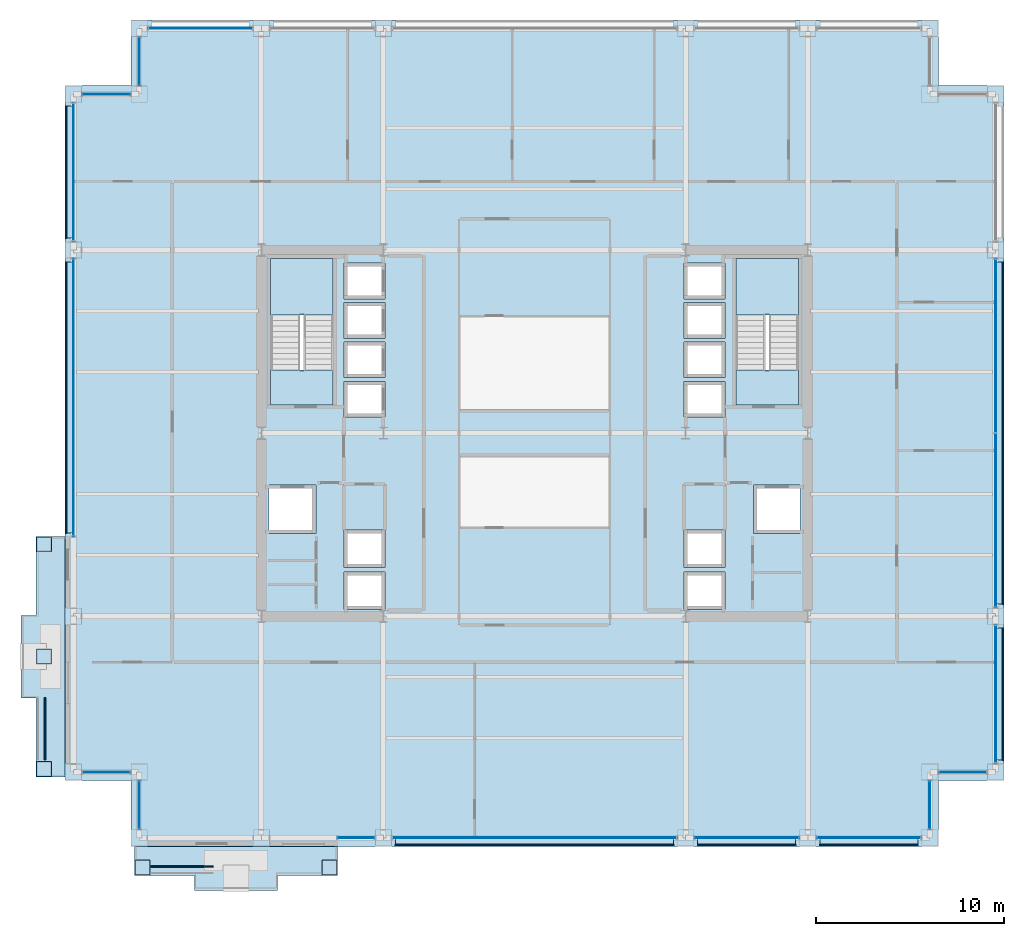
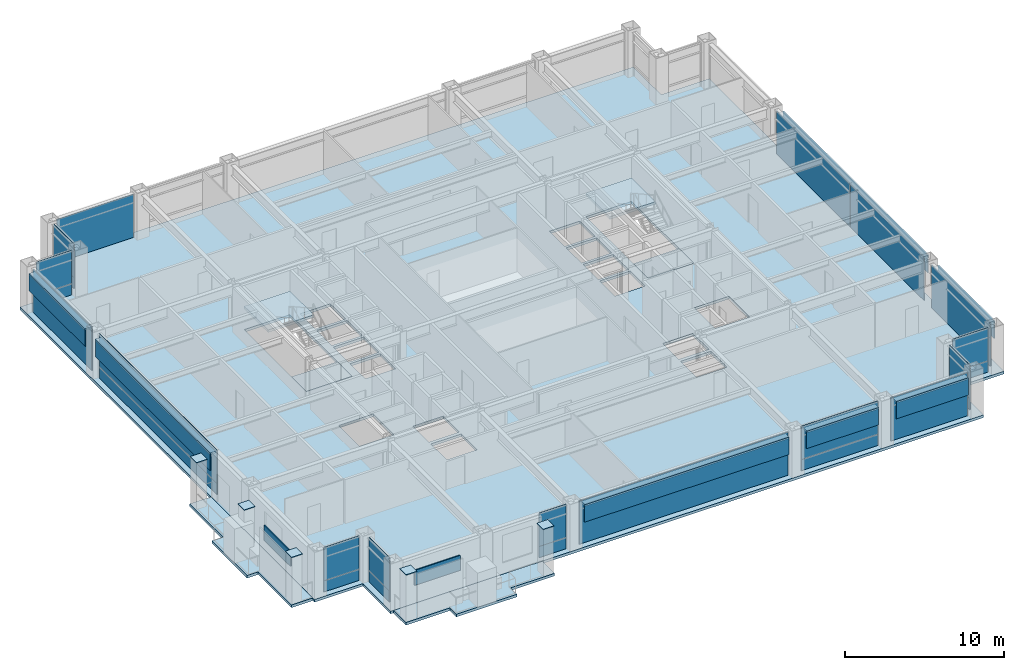
# One storey, part 21 of 28: 46 plates, 7 slabs, 17 elements without a shape of their own.
"""IFC4 building model written with IfcOpenShell, lengths in metres."""

from ifc_helpers import new_model, si_unit, direction, frame, origin, origin_2d, place, context, subcontext, project, spatial, polyline, rectangle, outline, extrude, material, layer, layer_set, type_object, element, aggregate, save


model = new_model("IFC4")

# Units and contexts
model_context = context("Model", 3, precision=1e-05, world=origin(), true_north=direction((0.0, 1.0)))
body_context = subcontext(model_context, "Body", "Model", "MODEL_VIEW")
ifc_project = project(units=[si_unit("LENGTHUNIT", "METRE"), si_unit("AREAUNIT", "SQUARE_METRE"), si_unit("VOLUMEUNIT", "CUBIC_METRE"), si_unit("PLANEANGLEUNIT", "RADIAN"), si_unit("MASSUNIT", "GRAM", prefix="KILO")], contexts=[model_context])

# Site, building, storey
site_placement = place(None, origin())
site = spatial("IfcSite", under=ifc_project, at=site_placement, CompositionType="ELEMENT")
building_placement = place(site_placement, origin())
building = spatial("IfcBuilding", under=site, at=building_placement, Name="Brelmoor Portico Tower", CompositionType="ELEMENT")
storey_placement = place(building_placement, frame((0.0, 0.0, 70.800048828125)))
storey = spatial("IfcBuildingStorey", under=building, at=storey_placement, Name="L18", CompositionType="ELEMENT", Elevation=70.800048828125)

# Plates
ifc_material_1 = material(Name="Steel Q355B", Category="steel")
ifc_layer_1 = layer(ifc_material_1, 0.044921875)
ifc_layer_set_1 = layer_set([ifc_layer_1], Name="Steel Q355B")
plate_type_1 = type_object("IfcPlateType", Name="PT-CAP-650", PredefinedType="SHEET", material=ifc_layer_set_1)
for number, where, z_axis, x_axis, name in (
    (1, (-26.1298828125, -17.8798828125, 3.599853515625), (0.0, 0.0, 1.0), (0.0, 1.0, 0.0), "L18 Proud Picture-Frame Pier PFJ-W1 Welded Head Cap Plate"),
    (2, (-26.1298828125, -5.919921875, 3.599853515625), (0.0, 0.0, 1.0), (0.0, 1.0, 0.0), "L18 Proud Picture-Frame Pier PFJ-W2 Welded Head Cap Plate"),
    (3, (-26.1298828125, -11.89990234375, 3.599853515625), (0.0, 0.0, 1.0), (0.0, 1.0, 0.0), "L18 Proud Picture-Frame Pier PFJ-W3 Welded Head Cap Plate"),
    (4, (-20.8798828125, -23.1298828125, 3.599853515625), (0.0, 0.0, 1.0), (1.0, 0.0, 0.0), "L18 Proud Picture-Frame Pier PFJ-S1 Welded Head Cap Plate"),
    (5, (-10.919921875, -23.1298828125, 3.599853515625), (0.0, 0.0, 1.0), (1.0, 0.0, 0.0), "L18 Proud Picture-Frame Pier PFJ-S2 Welded Head Cap Plate"),
):
    element("IfcPlate", number, at=place(storey_placement, frame(where, z_axis=z_axis, x_axis=x_axis)), inside=storey, type_object=plate_type_1, Name=name, PredefinedType="SHEET", context=body_context, shape_type="SweptSolid", body=[
        extrude(rectangle(XDim=0.7900390625, YDim=0.7900390625, at=origin_2d()), origin(), (0.0, 0.0, 1.0), 0.0400390625),
    ])

# Curtain wall, plate
ifc_material_2 = material(Name="Anodised Aluminium Alloy 6063-T6", Category="aluminium")
ifc_layer_2 = layer(ifc_material_2, 0.179931640625)
ifc_layer_set_2 = layer_set([ifc_layer_2], Name="Anodised Aluminium Alloy 6063-T6")
curtain_wall_type_1 = type_object("IfcCurtainWallType", Name="CW-TOWER-Z1", PredefinedType="NOTDEFINED", material=ifc_layer_set_2)
curtain_wall_1_placement = place(storey_placement, origin())
curtain_wall_1 = element("IfcCurtainWall", 6, at=curtain_wall_1_placement, inside=storey, type_object=curtain_wall_type_1, Name="L18 Curtain Wall CW-L18-1R-1", PredefinedType="NOTDEFINED")
ifc_material_3 = material(Name="Double-Silver Low-E Insulated Glazing", Category="glass")
ifc_layer_3 = layer(ifc_material_3, 0.035888671875)
ifc_layer_set_3 = layer_set([ifc_layer_3], Name="Double-Silver Low-E Insulated Glazing")
plate_type_2 = type_object("IfcPlateType", Name="PT-CW-GLASS", PredefinedType="CURTAIN_PANEL", material=ifc_layer_set_3)
plate_1_placement = place(storey_placement, frame((-9.5048828125, -21.550048828125, 0.85009765625), z_axis=(0.0, 0.0, 1.0), x_axis=(1.0, 0.0, 0.0)))
plate_1 = element("IfcPlate", 7, at=plate_1_placement, type_object=plate_type_2, Name="CW-L18-1R-1 Vision Glass Panel 00", PredefinedType="CURTAIN_PANEL", context=body_context, shape_type="SweptSolid", body=[
    extrude(rectangle(XDim=1.9599609375, YDim=0.035888671875, at=origin_2d()), origin(), (0.0, 0.0, 1.0), 2.550048828125),
])

curtain_wall_2_placement = place(storey_placement, origin())
curtain_wall_2 = element("IfcCurtainWall", 8, at=curtain_wall_2_placement, inside=storey, type_object=curtain_wall_type_1, Name="L18 Curtain Wall CW-L18-1R-3", PredefinedType="NOTDEFINED")
plate_2_placement = place(storey_placement, frame((11.300048828125, -21.550048828125, 0.85009765625), z_axis=(0.0, 0.0, 1.0), x_axis=(1.0, 0.0, 0.0)))
plate_2 = element("IfcPlate", 9, at=plate_2_placement, type_object=plate_type_2, Name="CW-L18-1R-3 Vision Glass Panel 00", PredefinedType="CURTAIN_PANEL", context=body_context, shape_type="SweptSolid", body=[
    extrude(rectangle(XDim=5.550048828125, YDim=0.035888671875, at=origin_2d()), origin(), (0.0, 0.0, 1.0), 2.550048828125),
])

curtain_wall_3_placement = place(storey_placement, origin())
curtain_wall_3 = element("IfcCurtainWall", 10, at=curtain_wall_3_placement, inside=storey, type_object=curtain_wall_type_1, Name="L18 Curtain Wall CW-L18-3R-1", PredefinedType="NOTDEFINED")
plate_3_placement = place(storey_placement, frame((-24.550048828125, 1.89501953125, 0.85009765625), z_axis=(0.0, 0.0, 1.0), x_axis=(0.0, 1.0, 0.0)))
plate_3 = element("IfcPlate", 11, at=plate_3_placement, type_object=plate_type_2, Name="CW-L18-3R-1 Vision Glass Panel 00", PredefinedType="CURTAIN_PANEL", context=body_context, shape_type="SweptSolid", body=[
    extrude(rectangle(XDim=14.760009765625, YDim=0.035888671875, at=origin_2d()), origin(), (0.0, 0.0, 1.0), 2.550048828125),
])

ifc_layer_4 = layer(ifc_material_2, 0.179931640625)
ifc_layer_set_4 = layer_set([ifc_layer_4], Name="Anodised Aluminium Alloy 6063-T6")
curtain_wall_type_2 = type_object("IfcCurtainWallType", Name="CW-NOTCH-CHAMFER", PredefinedType="NOTDEFINED", material=ifc_layer_set_4)
curtain_wall_4_placement = place(storey_placement, origin())
curtain_wall_4 = element("IfcCurtainWall", 12, at=curtain_wall_4_placement, inside=storey, type_object=curtain_wall_type_2, Name="L18 Curtain Wall CWN-L18-SWH", PredefinedType="NOTDEFINED")
plate_4_placement = place(storey_placement, frame((-22.800048828125, -18.050048828125, 0.85009765625), z_axis=(0.0, 0.0, 1.0), x_axis=(1.0, 0.0, 0.0)))
plate_4 = element("IfcPlate", 13, at=plate_4_placement, type_object=plate_type_2, Name="CWN-L18-SWH Vision Glass Panel 00", PredefinedType="CURTAIN_PANEL", context=body_context, shape_type="SweptSolid", body=[
    extrude(rectangle(XDim=2.550048828125, YDim=0.035888671875, at=origin_2d()), origin(), (0.0, 0.0, 1.0), 2.550048828125),
])

curtain_wall_5_placement = place(storey_placement, origin())
curtain_wall_5 = element("IfcCurtainWall", 14, at=curtain_wall_5_placement, inside=storey, type_object=curtain_wall_type_2, Name="L18 Curtain Wall CWN-L18-SWV", PredefinedType="NOTDEFINED")
plate_5_placement = place(storey_placement, frame((-21.050048828125, -19.800048828125, 0.85009765625), z_axis=(0.0, 0.0, 1.0), x_axis=(0.0, 1.0, 0.0)))
plate_5 = element("IfcPlate", 15, at=plate_5_placement, type_object=plate_type_2, Name="CWN-L18-SWV Vision Glass Panel 00", PredefinedType="CURTAIN_PANEL", context=body_context, shape_type="SweptSolid", body=[
    extrude(rectangle(XDim=2.550048828125, YDim=0.035888671875, at=origin_2d()), origin(), (0.0, 0.0, 1.0), 2.550048828125),
])

curtain_wall_6_placement = place(storey_placement, origin())
curtain_wall_6 = element("IfcCurtainWall", 16, at=curtain_wall_6_placement, inside=storey, type_object=curtain_wall_type_2, Name="L18 Curtain Wall CWN-L18-SEH", PredefinedType="NOTDEFINED")
plate_6_placement = place(storey_placement, frame((22.800048828125, -18.050048828125, 0.85009765625), z_axis=(0.0, 0.0, 1.0), x_axis=(1.0, 0.0, 0.0)))
plate_6 = element("IfcPlate", 17, at=plate_6_placement, type_object=plate_type_2, Name="CWN-L18-SEH Vision Glass Panel 00", PredefinedType="CURTAIN_PANEL", context=body_context, shape_type="SweptSolid", body=[
    extrude(rectangle(XDim=2.550048828125, YDim=0.035888671875, at=origin_2d()), origin(), (0.0, 0.0, 1.0), 2.550048828125),
])

curtain_wall_7_placement = place(storey_placement, origin())
curtain_wall_7 = element("IfcCurtainWall", 18, at=curtain_wall_7_placement, inside=storey, type_object=curtain_wall_type_2, Name="L18 Curtain Wall CWN-L18-SEV", PredefinedType="NOTDEFINED")
plate_7_placement = place(storey_placement, frame((21.050048828125, -19.800048828125, 0.85009765625), z_axis=(0.0, 0.0, 1.0), x_axis=(0.0, 1.0, 0.0)))
plate_7 = element("IfcPlate", 19, at=plate_7_placement, type_object=plate_type_2, Name="CWN-L18-SEV Vision Glass Panel 00", PredefinedType="CURTAIN_PANEL", context=body_context, shape_type="SweptSolid", body=[
    extrude(rectangle(XDim=2.550048828125, YDim=0.035888671875, at=origin_2d()), origin(), (0.0, 0.0, 1.0), 2.550048828125),
])

curtain_wall_8_placement = place(storey_placement, origin())
curtain_wall_8 = element("IfcCurtainWall", 20, at=curtain_wall_8_placement, inside=storey, type_object=curtain_wall_type_2, Name="L18 Curtain Wall CWN-L18-NWH", PredefinedType="NOTDEFINED")
plate_8_placement = place(storey_placement, frame((-22.800048828125, 18.050048828125, 0.85009765625), z_axis=(0.0, 0.0, 1.0), x_axis=(1.0, 0.0, 0.0)))
plate_8 = element("IfcPlate", 21, at=plate_8_placement, type_object=plate_type_2, Name="CWN-L18-NWH Vision Glass Panel 00", PredefinedType="CURTAIN_PANEL", context=body_context, shape_type="SweptSolid", body=[
    extrude(rectangle(XDim=2.550048828125, YDim=0.035888671875, at=origin_2d()), origin(), (0.0, 0.0, 1.0), 2.550048828125),
])

curtain_wall_9_placement = place(storey_placement, origin())
curtain_wall_9 = element("IfcCurtainWall", 22, at=curtain_wall_9_placement, inside=storey, type_object=curtain_wall_type_2, Name="L18 Curtain Wall CWN-L18-NWV", PredefinedType="NOTDEFINED")
plate_9_placement = place(storey_placement, frame((-21.050048828125, 19.800048828125, 0.85009765625), z_axis=(0.0, 0.0, 1.0), x_axis=(0.0, 1.0, 0.0)))
plate_9 = element("IfcPlate", 23, at=plate_9_placement, type_object=plate_type_2, Name="CWN-L18-NWV Vision Glass Panel 00", PredefinedType="CURTAIN_PANEL", context=body_context, shape_type="SweptSolid", body=[
    extrude(rectangle(XDim=2.550048828125, YDim=0.035888671875, at=origin_2d()), origin(), (0.0, 0.0, 1.0), 2.550048828125),
])

# Plate
ifc_material_4 = material(Name="Pale Champagne Anodised Aluminium Panel", Category="aluminium")
ifc_layer_5 = layer(ifc_material_4, 0.050048828125)
ifc_layer_set_5 = layer_set([ifc_layer_5], Name="Pale Champagne Anodised Aluminium Panel")
plate_type_3 = type_object("IfcPlateType", Name="PT-CW-SPANDREL", PredefinedType="SHEET", material=ifc_layer_set_5)
plate_10_placement = place(storey_placement, frame((-9.5048828125, -21.550048828125, 0.0), z_axis=(0.0, 0.0, 1.0), x_axis=(1.0, 0.0, 0.0)))
plate_10 = element("IfcPlate", 24, at=plate_10_placement, type_object=plate_type_3, Name="CW-L18-1R-1 Spandrel Panel 00", PredefinedType="SHEET", context=body_context, shape_type="SweptSolid", body=[
    extrude(rectangle(XDim=1.9599609375, YDim=0.050048828125, at=origin_2d()), origin(), (0.0, 0.0, 1.0), 0.85009765625),
])

aggregate(curtain_wall_1, [plate_10, plate_1])

# Curtain wall, plate
ifc_layer_6 = layer(ifc_material_2, 0.179931640625)
ifc_layer_set_6 = layer_set([ifc_layer_6], Name="Anodised Aluminium Alloy 6063-T6")
curtain_wall_type_3 = type_object("IfcCurtainWallType", Name="CW-TOWER-Z1-XB", PredefinedType="NOTDEFINED", material=ifc_layer_set_6)
curtain_wall_10_placement = place(storey_placement, origin())
curtain_wall_10 = element("IfcCurtainWall", 25, at=curtain_wall_10_placement, inside=storey, type_object=curtain_wall_type_3, Name="L18 Curtain Wall CW-L18-1R-2", PredefinedType="NOTDEFINED")
plate_11_placement = place(storey_placement, frame((0.0, -21.550048828125, 0.0), z_axis=(0.0, 0.0, 1.0), x_axis=(1.0, 0.0, 0.0)))
plate_11 = element("IfcPlate", 26, at=plate_11_placement, type_object=plate_type_3, Name="CW-L18-1R-2 Spandrel Panel 00", PredefinedType="SHEET", context=body_context, shape_type="SweptSolid", body=[
    extrude(rectangle(XDim=15.14990234375, YDim=0.050048828125, at=origin_2d()), origin(), (0.0, 0.0, 1.0), 3.330078125),
])
aggregate(curtain_wall_10, [plate_11])

# Plate
plate_12_placement = place(storey_placement, frame((11.300048828125, -21.550048828125, 0.0), z_axis=(0.0, 0.0, 1.0), x_axis=(1.0, 0.0, 0.0)))
plate_12 = element("IfcPlate", 27, at=plate_12_placement, type_object=plate_type_3, Name="CW-L18-1R-3 Spandrel Panel 00", PredefinedType="SHEET", context=body_context, shape_type="SweptSolid", body=[
    extrude(rectangle(XDim=5.550048828125, YDim=0.050048828125, at=origin_2d()), origin(), (0.0, 0.0, 1.0), 0.85009765625),
])

aggregate(curtain_wall_2, [plate_12, plate_2])

# Curtain wall, plate
curtain_wall_11_placement = place(storey_placement, origin())
curtain_wall_11 = element("IfcCurtainWall", 28, at=curtain_wall_11_placement, inside=storey, type_object=curtain_wall_type_3, Name="L18 Curtain Wall CW-L18-1R-4", PredefinedType="NOTDEFINED")
plate_13_placement = place(storey_placement, frame((17.800048828125, -21.550048828125, 0.0), z_axis=(0.0, 0.0, 1.0), x_axis=(1.0, 0.0, 0.0)))
plate_13 = element("IfcPlate", 29, at=plate_13_placement, type_object=plate_type_3, Name="CW-L18-1R-4 Spandrel Panel 00", PredefinedType="SHEET", context=body_context, shape_type="SweptSolid", body=[
    extrude(rectangle(XDim=5.550048828125, YDim=0.050048828125, at=origin_2d()), origin(), (0.0, 0.0, 1.0), 3.330078125),
])
aggregate(curtain_wall_11, [plate_13])

curtain_wall_12_placement = place(storey_placement, origin())
curtain_wall_12 = element("IfcCurtainWall", 30, at=curtain_wall_12_placement, inside=storey, type_object=curtain_wall_type_3, Name="L18 Curtain Wall CW-L18-02-1", PredefinedType="NOTDEFINED")
plate_14_placement = place(storey_placement, frame((-17.800048828125, 21.550048828125, 0.0), z_axis=(0.0, 0.0, 1.0), x_axis=(1.0, 0.0, 0.0)))
plate_14 = element("IfcPlate", 31, at=plate_14_placement, type_object=plate_type_3, Name="CW-L18-02-1 Spandrel Panel 00", PredefinedType="SHEET", context=body_context, shape_type="SweptSolid", body=[
    extrude(rectangle(XDim=5.550048828125, YDim=0.050048828125, at=origin_2d()), origin(), (0.0, 0.0, 1.0), 3.330078125),
])
aggregate(curtain_wall_12, [plate_14])

# Plate
plate_15_placement = place(storey_placement, frame((-24.550048828125, 1.89501953125, 0.0), z_axis=(0.0, 0.0, 1.0), x_axis=(0.0, 1.0, 0.0)))
plate_15 = element("IfcPlate", 32, at=plate_15_placement, type_object=plate_type_3, Name="CW-L18-3R-1 Spandrel Panel 00", PredefinedType="SHEET", context=body_context, shape_type="SweptSolid", body=[
    extrude(rectangle(XDim=14.760009765625, YDim=0.050048828125, at=origin_2d()), origin(), (0.0, 0.0, 1.0), 0.85009765625),
])

aggregate(curtain_wall_3, [plate_15, plate_3])

# Curtain wall, plate
curtain_wall_13_placement = place(storey_placement, origin())
curtain_wall_13 = element("IfcCurtainWall", 33, at=curtain_wall_13_placement, inside=storey, type_object=curtain_wall_type_3, Name="L18 Curtain Wall CW-L18-3R-2", PredefinedType="NOTDEFINED")
plate_16_placement = place(storey_placement, frame((-24.550048828125, 13.89990234375, 0.0), z_axis=(0.0, 0.0, 1.0), x_axis=(0.0, 1.0, 0.0)))
plate_16 = element("IfcPlate", 34, at=plate_16_placement, type_object=plate_type_3, Name="CW-L18-3R-2 Spandrel Panel 00", PredefinedType="SHEET", context=body_context, shape_type="SweptSolid", body=[
    extrude(rectangle(XDim=7.35009765625, YDim=0.050048828125, at=origin_2d()), origin(), (0.0, 0.0, 1.0), 3.330078125),
])
aggregate(curtain_wall_13, [plate_16])

curtain_wall_14_placement = place(storey_placement, origin())
curtain_wall_14 = element("IfcCurtainWall", 35, at=curtain_wall_14_placement, inside=storey, type_object=curtain_wall_type_3, Name="L18 Curtain Wall CW-L18-04-1", PredefinedType="NOTDEFINED")
plate_17_placement = place(storey_placement, frame((24.550048828125, -13.89990234375, 0.0), z_axis=(0.0, 0.0, 1.0), x_axis=(0.0, 1.0, 0.0)))
plate_17 = element("IfcPlate", 36, at=plate_17_placement, type_object=plate_type_3, Name="CW-L18-04-1 Spandrel Panel 00", PredefinedType="SHEET", context=body_context, shape_type="SweptSolid", body=[
    extrude(rectangle(XDim=7.35009765625, YDim=0.050048828125, at=origin_2d()), origin(), (0.0, 0.0, 1.0), 3.330078125),
])
aggregate(curtain_wall_14, [plate_17])

# Curtain wall, plates
curtain_wall_15_placement = place(storey_placement, origin())
curtain_wall_15 = element("IfcCurtainWall", 37, at=curtain_wall_15_placement, inside=storey, type_object=curtain_wall_type_3, Name="L18 Curtain Wall CW-L18-04-2", PredefinedType="NOTDEFINED")
plate_18_placement = place(storey_placement, frame((24.550048828125, -4.64501953125, 0.0), z_axis=(0.0, 0.0, 1.0), x_axis=(0.0, 1.0, 0.0)))
plate_18 = element("IfcPlate", 38, at=plate_18_placement, type_object=plate_type_3, Name="CW-L18-04-2 Spandrel Panel 00", PredefinedType="SHEET", context=body_context, shape_type="SweptSolid", body=[
    extrude(rectangle(XDim=9.260009765625, YDim=0.050048828125, at=origin_2d()), origin(), (0.0, 0.0, 1.0), 3.330078125),
])
plate_19_placement = place(storey_placement, frame((24.550048828125, 4.64501953125, 0.0), z_axis=(0.0, 0.0, 1.0), x_axis=(0.0, 1.0, 0.0)))
plate_19 = element("IfcPlate", 39, at=plate_19_placement, type_object=plate_type_3, Name="CW-L18-04-2 Spandrel Panel 01", PredefinedType="SHEET", context=body_context, shape_type="SweptSolid", body=[
    extrude(rectangle(XDim=9.260009765625, YDim=0.050048828125, at=origin_2d()), origin(), (0.0, 0.0, 1.0), 3.330078125),
])
aggregate(curtain_wall_15, [plate_18, plate_19])

# Plate
plate_20_placement = place(storey_placement, frame((-22.800048828125, -18.050048828125, 0.0), z_axis=(0.0, 0.0, 1.0), x_axis=(1.0, 0.0, 0.0)))
plate_20 = element("IfcPlate", 40, at=plate_20_placement, type_object=plate_type_3, Name="CWN-L18-SWH Spandrel Panel 00", PredefinedType="SHEET", context=body_context, shape_type="SweptSolid", body=[
    extrude(rectangle(XDim=2.550048828125, YDim=0.050048828125, at=origin_2d()), origin(), (0.0, 0.0, 1.0), 0.85009765625),
])

aggregate(curtain_wall_4, [plate_20, plate_4])

plate_21_placement = place(storey_placement, frame((-21.050048828125, -19.800048828125, 0.0), z_axis=(0.0, 0.0, 1.0), x_axis=(0.0, 1.0, 0.0)))
plate_21 = element("IfcPlate", 41, at=plate_21_placement, type_object=plate_type_3, Name="CWN-L18-SWV Spandrel Panel 00", PredefinedType="SHEET", context=body_context, shape_type="SweptSolid", body=[
    extrude(rectangle(XDim=2.550048828125, YDim=0.050048828125, at=origin_2d()), origin(), (0.0, 0.0, 1.0), 0.85009765625),
])

aggregate(curtain_wall_5, [plate_21, plate_5])

plate_22_placement = place(storey_placement, frame((22.800048828125, -18.050048828125, 0.0), z_axis=(0.0, 0.0, 1.0), x_axis=(1.0, 0.0, 0.0)))
plate_22 = element("IfcPlate", 42, at=plate_22_placement, type_object=plate_type_3, Name="CWN-L18-SEH Spandrel Panel 00", PredefinedType="SHEET", context=body_context, shape_type="SweptSolid", body=[
    extrude(rectangle(XDim=2.550048828125, YDim=0.050048828125, at=origin_2d()), origin(), (0.0, 0.0, 1.0), 0.85009765625),
])

aggregate(curtain_wall_6, [plate_22, plate_6])

plate_23_placement = place(storey_placement, frame((21.050048828125, -19.800048828125, 0.0), z_axis=(0.0, 0.0, 1.0), x_axis=(0.0, 1.0, 0.0)))
plate_23 = element("IfcPlate", 43, at=plate_23_placement, type_object=plate_type_3, Name="CWN-L18-SEV Spandrel Panel 00", PredefinedType="SHEET", context=body_context, shape_type="SweptSolid", body=[
    extrude(rectangle(XDim=2.550048828125, YDim=0.050048828125, at=origin_2d()), origin(), (0.0, 0.0, 1.0), 0.85009765625),
])

aggregate(curtain_wall_7, [plate_23, plate_7])

plate_24_placement = place(storey_placement, frame((-22.800048828125, 18.050048828125, 0.0), z_axis=(0.0, 0.0, 1.0), x_axis=(1.0, 0.0, 0.0)))
plate_24 = element("IfcPlate", 44, at=plate_24_placement, type_object=plate_type_3, Name="CWN-L18-NWH Spandrel Panel 00", PredefinedType="SHEET", context=body_context, shape_type="SweptSolid", body=[
    extrude(rectangle(XDim=2.550048828125, YDim=0.050048828125, at=origin_2d()), origin(), (0.0, 0.0, 1.0), 0.85009765625),
])

aggregate(curtain_wall_8, [plate_24, plate_8])

plate_25_placement = place(storey_placement, frame((-21.050048828125, 19.800048828125, 0.0), z_axis=(0.0, 0.0, 1.0), x_axis=(0.0, 1.0, 0.0)))
plate_25 = element("IfcPlate", 45, at=plate_25_placement, type_object=plate_type_3, Name="CWN-L18-NWV Spandrel Panel 00", PredefinedType="SHEET", context=body_context, shape_type="SweptSolid", body=[
    extrude(rectangle(XDim=2.550048828125, YDim=0.050048828125, at=origin_2d()), origin(), (0.0, 0.0, 1.0), 0.85009765625),
])

aggregate(curtain_wall_9, [plate_25, plate_9])

# Plates
ifc_material_5 = material(Name="Powder-Coated Aluminium Shuttered Jalousie Louvre", Category="aluminium")
ifc_layer_7 = layer(ifc_material_5, 0.06005859375)
ifc_layer_set_7 = layer_set([ifc_layer_7], Name="Powder-Coated Aluminium Shuttered Jalousie Louvre")
plate_type_4 = type_object("IfcPlateType", Name="PT-JALOUSIE-SHUTTER", PredefinedType="SHEET", material=ifc_layer_set_7)
plate_26_placement = place(storey_placement, frame((0.0, -21.929931640625, 1.8740234375), z_axis=(0.0, 0.0, 1.0), x_axis=(1.0, 0.0, 0.0)))
element("IfcPlate", 46, at=plate_26_placement, inside=storey, type_object=plate_type_4, Name="CW-L18-1R-2 Perforated Jalousie Solar Screen", PredefinedType="SHEET", context=body_context, shape_type="SweptSolid", body=[
    extrude(rectangle(XDim=14.820068359375, YDim=0.06494140625, at=origin_2d()), origin(), (0.0, 0.0, 1.0), 1.325927734375),
])
for number, where, z_axis, x_axis, name in (
    (47, (11.300048828125, -21.929931640625, 1.8740234375), (0.0, 0.0, 1.0), (1.0, 0.0, 0.0), "CW-L18-1R-3 Perforated Jalousie Solar Screen"),
    (48, (17.800048828125, -21.929931640625, 1.8740234375), (0.0, 0.0, 1.0), (1.0, 0.0, 0.0), "CW-L18-1R-4 Perforated Jalousie Solar Screen"),
):
    element("IfcPlate", number, at=place(storey_placement, frame(where, z_axis=z_axis, x_axis=x_axis)), inside=storey, type_object=plate_type_4, Name=name, PredefinedType="SHEET", context=body_context, shape_type="SweptSolid", body=[
        extrude(rectangle(XDim=5.219970703125, YDim=0.06494140625, at=origin_2d()), origin(), (0.0, 0.0, 1.0), 1.325927734375),
    ])
plate_27_placement = place(storey_placement, frame((-18.75, -23.080078125, 2.27490234375), z_axis=(0.0, 0.0, 1.0), x_axis=(1.0, 0.0, 0.0)))
element("IfcPlate", 49, at=plate_27_placement, inside=storey, type_object=plate_type_4, Name="L18 Shuttered Veranda Screen S", PredefinedType="SHEET", context=body_context, shape_type="SweptSolid", body=[
    extrude(rectangle(XDim=3.300048828125, YDim=0.080078125, at=origin_2d()), origin(), (0.0, 0.0, 1.0), 1.14990234375),
])
plate_28_placement = place(storey_placement, frame((-24.929931640625, 1.89501953125, 1.8740234375), z_axis=(0.0, 0.0, 1.0), x_axis=(0.0, 1.0, 0.0)))
element("IfcPlate", 50, at=plate_28_placement, inside=storey, type_object=plate_type_4, Name="CW-L18-3R-1 Perforated Jalousie Solar Screen", PredefinedType="SHEET", context=body_context, shape_type="SweptSolid", body=[
    extrude(rectangle(XDim=14.429931640625, YDim=0.06494140625, at=origin_2d()), origin(), (0.0, 0.0, 1.0), 1.325927734375),
])
plate_29_placement = place(storey_placement, frame((-24.929931640625, 13.89990234375, 1.8740234375), z_axis=(0.0, 0.0, 1.0), x_axis=(0.0, 1.0, 0.0)))
element("IfcPlate", 51, at=plate_29_placement, inside=storey, type_object=plate_type_4, Name="CW-L18-3R-2 Perforated Jalousie Solar Screen", PredefinedType="SHEET", context=body_context, shape_type="SweptSolid", body=[
    extrude(rectangle(XDim=7.02001953125, YDim=0.06494140625, at=origin_2d()), origin(), (0.0, 0.0, 1.0), 1.325927734375),
])
plate_30_placement = place(storey_placement, frame((-26.080078125, -15.75, 2.27490234375), z_axis=(0.0, 0.0, 1.0), x_axis=(0.0, 1.0, 0.0)))
element("IfcPlate", 52, at=plate_30_placement, inside=storey, type_object=plate_type_4, Name="L18 Shuttered Veranda Screen W", PredefinedType="SHEET", context=body_context, shape_type="SweptSolid", body=[
    extrude(rectangle(XDim=3.300048828125, YDim=0.080078125, at=origin_2d()), origin(), (0.0, 0.0, 1.0), 1.14990234375),
])
plate_31_placement = place(storey_placement, frame((24.929931640625, -13.89990234375, 1.8740234375), z_axis=(0.0, 0.0, 1.0), x_axis=(0.0, 1.0, 0.0)))
element("IfcPlate", 53, at=plate_31_placement, inside=storey, type_object=plate_type_4, Name="CW-L18-04-1 Perforated Jalousie Solar Screen", PredefinedType="SHEET", context=body_context, shape_type="SweptSolid", body=[
    extrude(rectangle(XDim=7.02001953125, YDim=0.06494140625, at=origin_2d()), origin(), (0.0, 0.0, 1.0), 1.325927734375),
])
plate_32_placement = place(storey_placement, frame((24.929931640625, 0.0, 1.8740234375), z_axis=(0.0, 0.0, 1.0), x_axis=(0.0, 1.0, 0.0)))
element("IfcPlate", 54, at=plate_32_placement, inside=storey, type_object=plate_type_4, Name="CW-L18-04-2 Perforated Jalousie Solar Screen", PredefinedType="SHEET", context=body_context, shape_type="SweptSolid", body=[
    extrude(rectangle(XDim=18.219970703125, YDim=0.06494140625, at=origin_2d()), origin(), (0.0, 0.0, 1.0), 1.325927734375),
])
ifc_material_6 = material(Name="Pale Champagne Perforated Aluminium Solar Screen", Category="aluminium")
ifc_layer_8 = layer(ifc_material_6, 0.054931640625)
ifc_layer_set_8 = layer_set([ifc_layer_8], Name="Pale Champagne Perforated Aluminium Solar Screen")
plate_type_5 = type_object("IfcPlateType", Name="PT-SOLAR-LOUVRE", PredefinedType="SHEET", material=ifc_layer_set_8)
plate_33_placement = place(storey_placement, frame((0.0, -21.760009765625, 3.08984375), z_axis=(0.0, 0.0, 1.0), x_axis=(1.0, 0.0, 0.0)))
element("IfcPlate", 55, at=plate_33_placement, inside=storey, type_object=plate_type_5, Name="CW-L18-1R-2 Caribbean Brise-Soleil Solar Screen", PredefinedType="SHEET", context=body_context, shape_type="SweptSolid", body=[
    extrude(rectangle(XDim=14.820068359375, YDim=0.4599609375, at=origin_2d()), origin(), (0.0, 0.0, 1.0), 0.139892578125),
])
for number, where, z_axis, x_axis, name in (
    (56, (11.300048828125, -21.760009765625, 3.08984375), (0.0, 0.0, 1.0), (1.0, 0.0, 0.0), "CW-L18-1R-3 Caribbean Brise-Soleil Solar Screen"),
    (57, (17.800048828125, -21.760009765625, 3.08984375), (0.0, 0.0, 1.0), (1.0, 0.0, 0.0), "CW-L18-1R-4 Caribbean Brise-Soleil Solar Screen"),
):
    element("IfcPlate", number, at=place(storey_placement, frame(where, z_axis=z_axis, x_axis=x_axis)), inside=storey, type_object=plate_type_5, Name=name, PredefinedType="SHEET", context=body_context, shape_type="SweptSolid", body=[
        extrude(rectangle(XDim=5.219970703125, YDim=0.4599609375, at=origin_2d()), origin(), (0.0, 0.0, 1.0), 0.139892578125),
    ])
plate_34_placement = place(storey_placement, frame((-24.760009765625, 1.89501953125, 3.08984375), z_axis=(0.0, 0.0, 1.0), x_axis=(0.0, 1.0, 0.0)))
element("IfcPlate", 58, at=plate_34_placement, inside=storey, type_object=plate_type_5, Name="CW-L18-3R-1 Caribbean Brise-Soleil Solar Screen", PredefinedType="SHEET", context=body_context, shape_type="SweptSolid", body=[
    extrude(rectangle(XDim=14.429931640625, YDim=0.4599609375, at=origin_2d()), origin(), (0.0, 0.0, 1.0), 0.139892578125),
])
for number, where, z_axis, x_axis, name in (
    (59, (-24.760009765625, 13.89990234375, 3.08984375), (0.0, 0.0, 1.0), (0.0, 1.0, 0.0), "CW-L18-3R-2 Caribbean Brise-Soleil Solar Screen"),
    (60, (24.760009765625, -13.89990234375, 3.08984375), (0.0, 0.0, 1.0), (0.0, 1.0, 0.0), "CW-L18-04-1 Caribbean Brise-Soleil Solar Screen"),
):
    element("IfcPlate", number, at=place(storey_placement, frame(where, z_axis=z_axis, x_axis=x_axis)), inside=storey, type_object=plate_type_5, Name=name, PredefinedType="SHEET", context=body_context, shape_type="SweptSolid", body=[
        extrude(rectangle(XDim=7.02001953125, YDim=0.4599609375, at=origin_2d()), origin(), (0.0, 0.0, 1.0), 0.139892578125),
    ])
plate_35_placement = place(storey_placement, frame((24.760009765625, 0.0, 3.08984375), z_axis=(0.0, 0.0, 1.0), x_axis=(0.0, 1.0, 0.0)))
element("IfcPlate", 61, at=plate_35_placement, inside=storey, type_object=plate_type_5, Name="CW-L18-04-2 Caribbean Brise-Soleil Solar Screen", PredefinedType="SHEET", context=body_context, shape_type="SweptSolid", body=[
    extrude(rectangle(XDim=18.219970703125, YDim=0.4599609375, at=origin_2d()), origin(), (0.0, 0.0, 1.0), 0.139892578125),
])

# Slabs
ifc_material_7 = material(Name="Concrete C40", Category="concrete")
ifc_layer_9 = layer(ifc_material_7, 0.199951171875)
ifc_layer_set_9 = layer_set([ifc_layer_9], Name="Concrete C40")
slab_type_1 = type_object("IfcSlabType", Name="SL-BALCONY-200", PredefinedType="FLOOR", material=ifc_layer_set_9)
slab_1_placement = place(storey_placement, frame((0.0, 0.0, -0.199951171875)))
element("IfcSlab", 62, at=slab_1_placement, inside=storey, type_object=slab_type_1, Name="L18 Loggia Tree Balcony Slab W", PredefinedType="FLOOR", context=body_context, shape_type="SweptSolid", body=[
    extrude(outline(polyline([(-26.550048828125, -18.300048828125), (-25.0, -18.300048828125), (-25.0, -5.5), (-26.550048828125, -5.5), (-26.550048828125, -9.699951171875), (-27.35009765625, -9.699951171875), (-27.35009765625, -14.10009765625), (-26.550048828125, -14.10009765625), (-26.550048828125, -18.300048828125)])), origin(), (0.0, 0.0, 1.0), 0.199951171875),
])
slab_2_placement = place(storey_placement, frame((0.0, 0.0, -0.199951171875)))
element("IfcSlab", 63, at=slab_2_placement, inside=storey, type_object=slab_type_1, Name="L18 Loggia Tree Balcony Slab S", PredefinedType="FLOOR", context=body_context, shape_type="SweptSolid", body=[
    extrude(outline(polyline([(-21.300048828125, -23.550048828125), (-18.10009765625, -23.550048828125), (-18.10009765625, -24.35009765625), (-13.699951171875, -24.35009765625), (-13.699951171875, -23.550048828125), (-10.5, -23.550048828125), (-10.5, -22.0), (-21.300048828125, -22.0), (-21.300048828125, -23.550048828125)])), origin(), (0.0, 0.0, 1.0), 0.199951171875),
])
ifc_layer_10 = layer(ifc_material_7, 0.199951171875)
ifc_layer_set_10 = layer_set([ifc_layer_10], Name="Concrete C40")
slab_type_2 = type_object("IfcSlabType", Name="SL-FLOOR-200", PredefinedType="FLOOR", material=ifc_layer_set_10)
slab_3_placement = place(storey_placement, frame((0.0, 0.0, -0.199951171875)))
element("IfcSlab", 64, at=slab_3_placement, inside=storey, type_object=slab_type_2, Name="L18 Main Structural Floor Slab", PredefinedType="FLOOR", context=body_context, shape_type="SweptSolid", body=[
    extrude(outline(polyline([(-21.5, -22.0), (21.5, -22.0), (21.5, -18.5), (25.0, -18.5), (25.0, 18.5), (21.5, 18.5), (21.5, 22.0), (-21.5, 22.0), (-21.5, 18.5), (-25.0, 18.5), (-25.0, -18.5), (-21.5, -18.5), (-21.5, -22.0)]), holes=[polyline([(-10.72998046875, 1.5), (-10.72998046875, 9.300048828125), (-14.050048828125, 9.300048828125), (-14.050048828125, 1.5), (-10.72998046875, 1.5)]), polyline([(14.050048828125, 1.5), (14.050048828125, 9.300048828125), (10.72998046875, 9.300048828125), (10.72998046875, 1.5), (14.050048828125, 1.5)]), polyline([(-10.14990234375, 0.85009765625), (-7.949951171875, 0.85009765625), (-7.949951171875, 2.75), (-10.14990234375, 2.75), (-10.14990234375, 0.85009765625)]), polyline([(-10.14990234375, 2.949951171875), (-7.949951171875, 2.949951171875), (-7.949951171875, 4.85009765625), (-10.14990234375, 4.85009765625), (-10.14990234375, 2.949951171875)]), polyline([(-10.14990234375, 5.050048828125), (-7.949951171875, 5.050048828125), (-7.949951171875, 6.949951171875), (-10.14990234375, 6.949951171875), (-10.14990234375, 5.050048828125)]), polyline([(-10.14990234375, 7.14990234375), (-7.949951171875, 7.14990234375), (-7.949951171875, 9.050048828125), (-10.14990234375, 9.050048828125), (-10.14990234375, 7.14990234375)]), polyline([(7.949951171875, 0.85009765625), (10.14990234375, 0.85009765625), (10.14990234375, 2.75), (7.949951171875, 2.75), (7.949951171875, 0.85009765625)]), polyline([(7.949951171875, 2.949951171875), (10.14990234375, 2.949951171875), (10.14990234375, 4.85009765625), (7.949951171875, 4.85009765625), (7.949951171875, 2.949951171875)]), polyline([(7.949951171875, 5.050048828125), (10.14990234375, 5.050048828125), (10.14990234375, 6.949951171875), (7.949951171875, 6.949951171875), (7.949951171875, 5.050048828125)]), polyline([(7.949951171875, 7.14990234375), (10.14990234375, 7.14990234375), (10.14990234375, 9.050048828125), (7.949951171875, 9.050048828125), (7.949951171875, 7.14990234375)]), polyline([(-10.14990234375, -9.39990234375), (-7.949951171875, -9.39990234375), (-7.949951171875, -7.39990234375), (-10.14990234375, -7.39990234375), (-10.14990234375, -9.39990234375)]), polyline([(-10.14990234375, -7.14990234375), (-7.949951171875, -7.14990234375), (-7.949951171875, -5.14990234375), (-10.14990234375, -5.14990234375), (-10.14990234375, -7.14990234375)]), polyline([(7.949951171875, -9.39990234375), (10.14990234375, -9.39990234375), (10.14990234375, -7.39990234375), (7.949951171875, -7.39990234375), (7.949951171875, -9.39990234375)]), polyline([(7.949951171875, -7.14990234375), (10.14990234375, -7.14990234375), (10.14990234375, -5.14990234375), (7.949951171875, -5.14990234375), (7.949951171875, -7.14990234375)]), polyline([(-14.14990234375, -5.35009765625), (-11.64990234375, -5.35009765625), (-11.64990234375, -2.75), (-14.14990234375, -2.75), (-14.14990234375, -5.35009765625)]), polyline([(11.64990234375, -5.35009765625), (14.14990234375, -5.35009765625), (14.14990234375, -2.75), (11.64990234375, -2.75), (11.64990234375, -5.35009765625)])]), origin(), (0.0, 0.0, 1.0), 0.199951171875),
])

# Stair, slab
stair_type_1 = type_object("IfcStairType", Name="ST-CORE-W", PredefinedType="HALF_TURN_STAIR", material=ifc_material_7)
stair_1_placement = place(storey_placement, origin())
stair_1 = element("IfcStair", 65, at=stair_1_placement, inside=storey, type_object=stair_type_1, Name="L18 Protected Core Exit Stair ST-W", PredefinedType="HALF_TURN_STAIR")
ifc_layer_11 = layer(ifc_material_7, 0.179931640625)
ifc_layer_set_11 = layer_set([ifc_layer_11], Name="Concrete C40")
slab_type_3 = type_object("IfcSlabType", Name="SL-LANDING-180", PredefinedType="LANDING", material=ifc_layer_set_11)
slab_4_placement = place(storey_placement, frame((0.0, 0.0, 1.599853515625)))
slab_4 = element("IfcSlab", 66, at=slab_4_placement, type_object=slab_type_3, Name="ST-W landing 1", PredefinedType="LANDING", context=body_context, shape_type="SweptSolid", body=[
    extrude(outline(polyline([(-10.72998046875, 6.300048828125), (-10.72998046875, 9.300048828125), (-14.050048828125, 9.300048828125), (-14.050048828125, 6.300048828125), (-10.72998046875, 6.300048828125)])), origin(), (0.0, 0.0, 1.0), 0.2001953125),
])
aggregate(stair_1, [slab_4])

stair_type_2 = type_object("IfcStairType", Name="ST-CORE-E", PredefinedType="HALF_TURN_STAIR", material=ifc_material_7)
stair_2_placement = place(storey_placement, origin())
stair_2 = element("IfcStair", 67, at=stair_2_placement, inside=storey, type_object=stair_type_2, Name="L18 Protected Core Exit Stair ST-E", PredefinedType="HALF_TURN_STAIR")
slab_5_placement = place(storey_placement, frame((0.0, 0.0, 1.599853515625)))
slab_5 = element("IfcSlab", 68, at=slab_5_placement, type_object=slab_type_3, Name="ST-E landing 1", PredefinedType="LANDING", context=body_context, shape_type="SweptSolid", body=[
    extrude(outline(polyline([(14.050048828125, 6.300048828125), (14.050048828125, 9.300048828125), (10.72998046875, 9.300048828125), (10.72998046875, 6.300048828125), (14.050048828125, 6.300048828125)])), origin(), (0.0, 0.0, 1.0), 0.2001953125),
])
aggregate(stair_2, [slab_5])

# Slabs
ifc_layer_12 = layer(ifc_material_7, 0.199951171875)
ifc_layer_set_12 = layer_set([ifc_layer_12], Name="Concrete C40")
slab_type_4 = type_object("IfcSlabType", Name="SL-STAIR-FL200", PredefinedType="LANDING", material=ifc_layer_set_12)
slab_6_placement = place(storey_placement, frame((0.0, 0.0, -0.199951171875)))
element("IfcSlab", 69, at=slab_6_placement, inside=storey, type_object=slab_type_4, Name="L18 ST-W Structural Floor Landing Slab", PredefinedType="LANDING", context=body_context, shape_type="SweptSolid", body=[
    extrude(outline(polyline([(-10.72998046875, 1.5), (-10.72998046875, 3.35009765625), (-14.050048828125, 3.35009765625), (-14.050048828125, 1.5), (-10.72998046875, 1.5)])), origin(), (0.0, 0.0, 1.0), 0.199951171875),
])
slab_7_placement = place(storey_placement, frame((0.0, 0.0, -0.199951171875)))
element("IfcSlab", 70, at=slab_7_placement, inside=storey, type_object=slab_type_4, Name="L18 ST-E Structural Floor Landing Slab", PredefinedType="LANDING", context=body_context, shape_type="SweptSolid", body=[
    extrude(outline(polyline([(14.050048828125, 1.5), (14.050048828125, 3.35009765625), (10.72998046875, 3.35009765625), (10.72998046875, 1.5), (14.050048828125, 1.5)])), origin(), (0.0, 0.0, 1.0), 0.199951171875),
])

save(model, "model.ifc")
